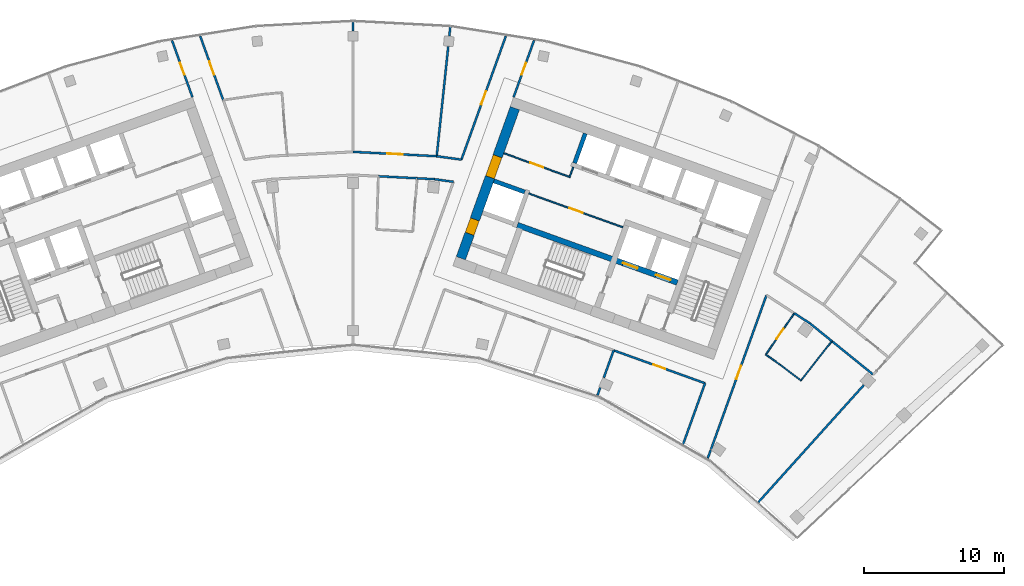
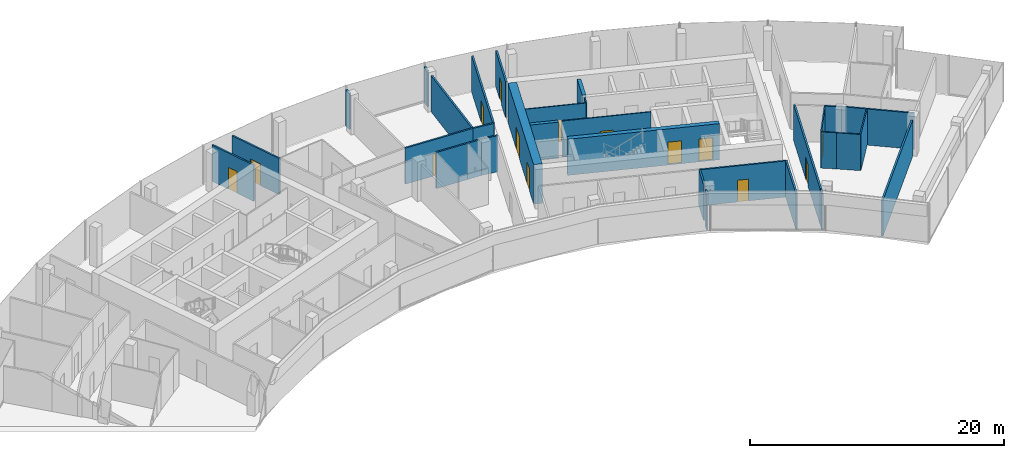
# One storey, part 15 of 18: 33 walls, 14 doors, 14 openings.
"""IFC4 building model written with IfcOpenShell, lengths in metres."""

import ifcopenshell
import ifcopenshell.guid

model = None  # the IFC model being written
_history = None  # IfcOwnerHistory: only IFC2X3 demands one
_inside = {}  # id of a spatial element -> (the spatial element, [elements in it])
_under = {}  # id of a project, library or spatial element -> (it, [spatial elements below it])
_declared = {}  # id of a project -> (the project, [libraries it declares])
_typed = {}  # id of a type object -> (the type object, [elements of that type])
_made_of = {}  # id of a material, layer set ... -> (it, [elements and type objects made of it])


def new_model(schema):
    """Start an empty IFC model of exactly this schema.

    Asked for "IFC4X3", IfcOpenShell would pick the latest addendum, in which some entities
    have other attributes; the version numbers below select the first issue.
    IFC2X3 requires an IfcOwnerHistory on every rooted entity: one is made here for all.
    """
    global model, _history
    if schema == "IFC4X3":
        model = ifcopenshell.file(schema_version=(4, 3, 0, 0))
    else:
        model = ifcopenshell.file(schema=schema)
    _inside.clear()
    _under.clear()
    _declared.clear()
    _typed.clear()
    _made_of.clear()
    _history = None
    if model.schema == "IFC2X3":
        org = make("IfcOrganization", Name="unknown")
        user = make(
            "IfcPersonAndOrganization",
            ThePerson=make("IfcPerson", FamilyName="unknown"),
            TheOrganization=org,
        )
        app = make(
            "IfcApplication",
            ApplicationDeveloper=org,
            Version="unknown",
            ApplicationFullName="unknown",
            ApplicationIdentifier="unknown",
        )
        _history = make(
            "IfcOwnerHistory",
            OwningUser=user,
            OwningApplication=app,
            ChangeAction="ADDED",
            CreationDate=0,
        )
    return model


def make(cls, **values):
    """One entity of the class cls with the attributes given. An attribute that is None is left unset."""
    return model.create_entity(
        cls, **{name: value for name, value in values.items() if value is not None}
    )


def rooted(cls, **values):
    """An entity with a GlobalId (a new one), such as an element, a storey or a relation."""
    return make(cls, GlobalId=ifcopenshell.guid.new(), OwnerHistory=_history, **values)


def si_unit(unit_type, name, prefix=None):
    """IfcSIUnit, for example si_unit("LENGTHUNIT", "METRE", prefix="MILLI")."""
    return make("IfcSIUnit", UnitType=unit_type, Prefix=prefix, Name=name)


def assignment(units):
    """IfcUnitAssignment: the units of a project."""
    return None if units is None else make("IfcUnitAssignment", Units=units)


def point(xyz):
    """IfcCartesianPoint."""
    return None if xyz is None else make("IfcCartesianPoint", Coordinates=xyz)


def direction(xyz):
    """IfcDirection."""
    return None if xyz is None else make("IfcDirection", DirectionRatios=xyz)


def frame(location, z_axis=None, x_axis=None):
    """IfcAxis2Placement3D, a coordinate frame: its origin and axes. An axis left out is left unset."""
    return make(
        "IfcAxis2Placement3D",
        Location=point(location),
        Axis=direction(z_axis),
        RefDirection=direction(x_axis),
    )


def frame_2d(location, x_axis=None):
    """IfcAxis2Placement2D, a coordinate frame in the plane: its origin and x axis."""
    return make(
        "IfcAxis2Placement2D", Location=point(location), RefDirection=direction(x_axis)
    )


def origin():
    """The frame at (0, 0, 0) with its axes left unset."""
    return frame((0.0, 0.0, 0.0))


def place(relative_to, where):
    """IfcLocalPlacement: puts the frame where relative to a parent placement (None: the world)."""
    return make(
        "IfcLocalPlacement", PlacementRelTo=relative_to, RelativePlacement=where
    )


def context(
    kind, dimensions, precision=None, world=None, true_north=None, identifier=None
):
    """IfcGeometricRepresentationContext, for example the 3D "Model" context."""
    return make(
        "IfcGeometricRepresentationContext",
        ContextIdentifier=identifier,
        ContextType=kind,
        CoordinateSpaceDimension=dimensions,
        Precision=precision,
        WorldCoordinateSystem=world,
        TrueNorth=true_north,
    )


def subcontext(parent, identifier, kind, view, scale=None):
    """IfcGeometricRepresentationSubContext, for example "Body" below "Model"."""
    return make(
        "IfcGeometricRepresentationSubContext",
        ContextIdentifier=identifier,
        ContextType=kind,
        ParentContext=parent,
        TargetScale=scale,
        TargetView=view,
    )


def project(units=None, contexts=None):
    """IfcProject with its units and contexts."""
    return rooted(
        "IfcProject",
        Name="project",
        RepresentationContexts=contexts,
        UnitsInContext=assignment(units),
    )


def spatial(cls, under=None, at=None, **own):
    """A site, building, storey or space (cls), placed at a placement, below another one or the project."""
    s = rooted(cls, ObjectPlacement=at, **own)
    if under is not None:
        _under.setdefault(under.id(), (under, []))[1].append(s)
    return s


def profile(cls, at=None, kind="AREA", **sizes):
    """A parametric profile (cls). Its sizes go by their IFC names, for example OverallWidth=200.0."""
    return make(cls, ProfileType=kind, Position=at, **sizes)


def rectangle(**sizes):
    """IfcRectangleProfileDef."""
    return profile("IfcRectangleProfileDef", **sizes)


def extrude(swept, where, along, depth):
    """IfcExtrudedAreaSolid: the profile swept, set in the frame where, extruded along a direction by depth."""
    return make(
        "IfcExtrudedAreaSolid",
        SweptArea=swept,
        Position=where,
        ExtrudedDirection=direction(along),
        Depth=depth,
    )


def shape(context_of_items, identifier, shape_type, items):
    """IfcShapeRepresentation: the items that make up one representation, for example the "Body"."""
    return make(
        "IfcShapeRepresentation",
        ContextOfItems=context_of_items,
        RepresentationIdentifier=identifier,
        RepresentationType=shape_type,
        Items=items,
    )


def material(Name=None, Category=None):
    """IfcMaterial."""
    return make("IfcMaterial", Name=Name, Category=Category)


def layer(
    of_material, thickness, ventilated=None, Name=None, Category=None, Priority=None
):
    """IfcMaterialLayer: one layer of a wall or slab, of a material (None: an air gap)."""
    return make(
        "IfcMaterialLayer",
        Material=of_material,
        LayerThickness=thickness,
        IsVentilated=ventilated,
        Name=Name,
        Category=Category,
        Priority=Priority,
    )


def layer_set(layers, Name=None):
    """IfcMaterialLayerSet."""
    return make("IfcMaterialLayerSet", MaterialLayers=layers, LayerSetName=Name)


def made_of(thing, what):
    """Note that an element or type object is made of a material, layer set ...; save() writes the relation."""
    if what is not None:
        _made_of.setdefault(what.id(), (what, []))[1].append(thing)
    return thing


def type_object(cls, material=None, **own):
    """A type object (cls), such as IfcWallType, which elements share."""
    return made_of(rooted(cls, **own), material)


def element(
    cls,
    number,
    at=None,
    inside=None,
    cuts=None,
    type_object=None,
    material=None,
    context=None,
    identifier="Body",
    shape_type=None,
    held_by="IfcProductDefinitionShape",
    body=None,
    shapes=None,
    **own,
):
    """One element of the class cls, such as IfcWall. Its Tag is "e" and its number.

    at: its placement. inside: the storey or other place that contains it. cuts: it is an
    opening in that element (IfcRelVoidsElement). A single representation is given by context,
    identifier, shape_type and body (its items); several are given by shapes. held_by: the class
    of the entity that holds the representations. save() writes the other relations.
    """
    e = rooted(cls, Tag="e%d" % number, ObjectPlacement=at, **own)
    if body is not None:
        shapes = [shape(context, identifier, shape_type, body)]
    if shapes is not None:
        e.Representation = make(held_by, Representations=shapes)
    if inside is not None:
        _inside.setdefault(inside.id(), (inside, []))[1].append(e)
    if cuts is not None:
        rooted(
            "IfcRelVoidsElement", RelatingBuildingElement=cuts, RelatedOpeningElement=e
        )
    if type_object is not None:
        _typed.setdefault(type_object.id(), (type_object, []))[1].append(e)
    return made_of(e, material)


def fill(opening, filler):
    """IfcRelFillsElement: the door or window that sits in an opening."""
    return rooted(
        "IfcRelFillsElement",
        RelatingOpeningElement=opening,
        RelatedBuildingElement=filler,
    )


def aggregate(whole, parts):
    """IfcRelAggregates: a whole, such as a stair, and the parts it consists of."""
    return rooted("IfcRelAggregates", RelatingObject=whole, RelatedObjects=parts)


def save(model, path):
    """Write the relations noted so far, then the file.

    IfcRelAggregates (storeys below a building ...), IfcRelContainedInSpatialStructure (elements
    in a storey), IfcRelDefinesByType, IfcRelAssociatesMaterial and IfcRelDeclares: one each for
    every whole, place, type object, material and project.
    """
    for whole, parts in _under.values():
        aggregate(whole, parts)
    for where, things in _inside.values():
        rooted(
            "IfcRelContainedInSpatialStructure",
            RelatedElements=things,
            RelatingStructure=where,
        )
    for kind, things in _typed.values():
        rooted("IfcRelDefinesByType", RelatedObjects=things, RelatingType=kind)
    for what, things in _made_of.values():
        rooted("IfcRelAssociatesMaterial", RelatedObjects=things, RelatingMaterial=what)
    for by, libraries in _declared.values():
        rooted("IfcRelDeclares", RelatingContext=by, RelatedDefinitions=libraries)
    model.write(path)


model = new_model("IFC4")

# Units and contexts
model_context = context("Model", 3, precision=1e-05, world=origin(), true_north=direction((0.0, 1.0)))
body_context = subcontext(model_context, "Body", "Model", "MODEL_VIEW")
ifc_project = project(units=[si_unit("LENGTHUNIT", "METRE"), si_unit("AREAUNIT", "SQUARE_METRE"), si_unit("VOLUMEUNIT", "CUBIC_METRE"), si_unit("PLANEANGLEUNIT", "RADIAN"), si_unit("MASSUNIT", "GRAM", prefix="KILO")], contexts=[model_context])

# Site, building, storey
site_placement = place(None, origin())
site = spatial("IfcSite", under=ifc_project, at=site_placement, CompositionType="ELEMENT")
building_placement = place(site_placement, origin())
building = spatial("IfcBuilding", under=site, at=building_placement, Name="Stone Belt Terrace Tower", CompositionType="ELEMENT")
storey_placement = place(building_placement, frame((0.0, 0.0, 299.800048828125)))
storey = spatial("IfcBuildingStorey", under=building, at=storey_placement, Name="L73", CompositionType="ELEMENT", Elevation=299.800048828125)

# Wall, opening, door
ifc_material_1 = material(Name="Plasterboard partition")
ifc_layer_1 = layer(ifc_material_1, 0.10009765625)
ifc_layer_set_1 = layer_set([ifc_layer_1], Name="Core partition 100")
wall_type_1 = type_object("IfcWallType", Name="Core partition 100", PredefinedType="PARTITIONING", material=ifc_layer_set_1)
wall_1_placement = place(storey_placement, frame((19.29052734375, 51.829833984375, 0.0), z_axis=(0.0, 0.0, 1.0), x_axis=(-0.94092179465, 0.338623945331, 0.0)))
wall_1 = element("IfcWall", 1, at=wall_1_placement, inside=storey, type_object=wall_type_1, Name="Core B wall", PredefinedType="PARTITIONING", context=body_context, shape_type="SweptSolid", body=[
    extrude(rectangle(XDim=7.14990234375, YDim=0.10009765625, at=frame_2d((3.574951171875, 0.0))), origin(), (0.0, 0.0, 1.0), 3.47998046875),
])
opening_1_placement = place(wall_1_placement, frame((3.050048828125, 0.0, 0.0)))
opening_1 = element("IfcOpeningElement", 2, at=opening_1_placement, cuts=wall_1, Name="Opening L73-C13", PredefinedType="OPENING", context=body_context, shape_type="SweptSolid", body=[
    extrude(rectangle(XDim=1.0, YDim=2.10009765625, at=frame_2d((0.5, 1.050048828125))), frame((0.0, 0.06005859375, 0.0), z_axis=(0.0, -1.0, 0.0), x_axis=(1.0, 0.0, 0.0)), (0.0, 0.0, 1.0), 0.1201171875),
])
ifc_material_2 = material(Name="Timber door leaf", Category="wood")
door_type_1 = type_object("IfcDoorType", Name="Core room door 1000", OperationType="SINGLE_SWING_LEFT", PredefinedType="DOOR", material=ifc_material_2)
door_1_placement = place(opening_1_placement, origin())
door_1 = element("IfcDoor", 3, at=door_1_placement, inside=storey, type_object=door_type_1, Name="Door to Electrical room core B", OperationType="SINGLE_SWING_RIGHT", OverallHeight=2.10009765625, OverallWidth=1.0, PredefinedType="DOOR", context=body_context, shape_type="SweptSolid", body=[
    extrude(rectangle(XDim=1.0, YDim=2.10009765625, at=frame_2d((0.5, 1.050048828125))), frame((0.0, 0.02490234375, 0.0), z_axis=(0.0, -1.0, 0.0), x_axis=(1.0, 0.0, 0.0)), (0.0, 0.0, 1.0), 0.050048828125),
])
fill(opening_1, door_1)

# Wall
wall_2_placement = place(storey_placement, frame((15.46826171875, 55.384033203125, 0.0), z_axis=(0.0, 0.0, 1.0), x_axis=(0.338481684961, 0.940972979923, 0.0)))
element("IfcWall", 4, at=wall_2_placement, inside=storey, type_object=wall_type_1, Name="Core B wall", PredefinedType="PARTITIONING", context=body_context, shape_type="SweptSolid", body=[
    extrude(rectangle(XDim=0.7998046875, YDim=0.10009765625, at=frame_2d((0.39990234375, 0.0))), origin(), (0.0, 0.0, 1.0), 3.47998046875),
])

# Wall, opening, door
wall_3_placement = place(storey_placement, frame((15.43798828125, 55.447998046875, 0.0), z_axis=(0.0, 0.0, 1.0), x_axis=(-0.940914445113, 0.338644366522, 0.0)))
wall_3 = element("IfcWall", 5, at=wall_3_placement, inside=storey, type_object=wall_type_1, Name="Core B wall", PredefinedType="PARTITIONING", context=body_context, shape_type="SweptSolid", body=[
    extrude(rectangle(XDim=4.949951171875, YDim=0.10009765625, at=frame_2d((2.47509765625, 0.0))), origin(), (0.0, 0.0, 1.0), 3.47998046875),
])
opening_2_placement = place(wall_3_placement, frame((1.949951171875, 0.0, 0.0)))
opening_2 = element("IfcOpeningElement", 6, at=opening_2_placement, cuts=wall_3, Name="Opening L73-C12", PredefinedType="OPENING", context=body_context, shape_type="SweptSolid", body=[
    extrude(rectangle(XDim=1.0, YDim=2.10009765625, at=frame_2d((0.5, 1.050048828125))), frame((0.0, 0.06005859375, 0.0), z_axis=(0.0, -1.0, 0.0), x_axis=(1.0, 0.0, 0.0)), (0.0, 0.0, 1.0), 0.1201171875),
])
door_2_placement = place(opening_2_placement, origin())
door_2 = element("IfcDoor", 7, at=door_2_placement, inside=storey, type_object=door_type_1, Name="Door to Plant room core B", OperationType="SINGLE_SWING_RIGHT", OverallHeight=2.10009765625, OverallWidth=1.0, PredefinedType="DOOR", context=body_context, shape_type="SweptSolid", body=[
    extrude(rectangle(XDim=1.0, YDim=2.10009765625, at=frame_2d((0.5, 1.050048828125))), frame((0.0, 0.02490234375, 0.0), z_axis=(0.0, -1.0, 0.0), x_axis=(1.0, 0.0, 0.0)), (0.0, 0.0, 1.0), 0.050048828125),
])
fill(opening_2, door_2)

# Wall, openings, doors
ifc_material_3 = material(Name="Concrete B60", Category="concrete")
ifc_layer_2 = layer(ifc_material_3, 0.699951171875)
ifc_layer_set_2 = layer_set([ifc_layer_2], Name="Core wall 700 B60")
wall_type_2 = type_object("IfcWallType", Name="Core wall 700 B60", PredefinedType="SHEAR", material=ifc_layer_set_2)
wall_4_placement = place(storey_placement, frame((7.70849609375, 49.621337890625, 0.0), z_axis=(0.0, 0.0, 1.0), x_axis=(0.338606471282, 0.940928083121, 0.0)))
wall_4 = element("IfcWall", 8, at=wall_4_placement, inside=storey, type_object=wall_type_2, Name="Core B wall end_a L73", PredefinedType="SHEAR", context=body_context, shape_type="SweptSolid", body=[
    extrude(rectangle(XDim=11.39990234375, YDim=0.699951171875, at=frame_2d((5.699951171875, 0.0))), origin(), (0.0, 0.0, 1.0), 3.800048828125),
])
opening_3_placement = place(wall_4_placement, frame((6.14990234375, 0.0, 0.0)))
opening_3 = element("IfcOpeningElement", 9, at=opening_3_placement, cuts=wall_4, Name="Opening L73-C15", PredefinedType="OPENING", context=body_context, shape_type="SweptSolid", body=[
    extrude(rectangle(XDim=1.60009765625, YDim=2.10009765625, at=frame_2d((0.800048828125, 1.050048828125))), frame((0.0, 0.35986328125, 0.0), z_axis=(0.0, -1.0, 0.0), x_axis=(1.0, 0.0, 0.0)), (0.0, 0.0, 1.0), 0.719970703125),
])
opening_4_placement = place(wall_4_placement, frame((1.85009765625, 0.0, 0.0)))
opening_4 = element("IfcOpeningElement", 10, at=opening_4_placement, cuts=wall_4, Name="Opening L73-C21", PredefinedType="OPENING", context=body_context, shape_type="SweptSolid", body=[
    extrude(rectangle(XDim=1.10009765625, YDim=2.10009765625, at=frame_2d((0.550048828125, 1.050048828125))), frame((0.0, 0.35986328125, 0.0), z_axis=(0.0, -1.0, 0.0), x_axis=(1.0, 0.0, 0.0)), (0.0, 0.0, 1.0), 0.719970703125),
])
door_type_2 = type_object("IfcDoorType", Name="Core room door 1100", OperationType="SINGLE_SWING_LEFT", PredefinedType="DOOR", material=ifc_material_2)
door_3_placement = place(opening_4_placement, origin())
door_3 = element("IfcDoor", 11, at=door_3_placement, inside=storey, type_object=door_type_2, Name="Door to Accessible WC core B", OperationType="SINGLE_SWING_LEFT", OverallHeight=2.10009765625, OverallWidth=1.10009765625, PredefinedType="DOOR", context=body_context, shape_type="SweptSolid", body=[
    extrude(rectangle(XDim=1.10009765625, YDim=2.10009765625, at=frame_2d((0.550048828125, 1.050048828125))), frame((0.0, 0.330078125, 0.0), z_axis=(0.0, -1.0, 0.0), x_axis=(1.0, 0.0, 0.0)), (0.0, 0.0, 1.0), 0.659912109375),
])
fill(opening_4, door_3)
ifc_material_4 = material(Name="Glazed aluminium door leaf", Category="aluminium")
door_type_3 = type_object("IfcDoorType", Name="Lift lobby entrance door 1600", OperationType="DOUBLE_DOOR_SINGLE_SWING", PredefinedType="DOOR", material=ifc_material_4)
door_4_placement = place(opening_3_placement, origin())
door_4 = element("IfcDoor", 12, at=door_4_placement, inside=storey, type_object=door_type_3, Name="Lift lobby entrance door core B", OperationType="DOUBLE_DOOR_SINGLE_SWING", OverallHeight=2.10009765625, OverallWidth=1.60009765625, PredefinedType="DOOR", context=body_context, shape_type="SweptSolid", body=[
    extrude(rectangle(XDim=1.60009765625, YDim=2.10009765625, at=frame_2d((0.800048828125, 1.050048828125))), frame((0.0, 0.330078125, 0.0), z_axis=(0.0, -1.0, 0.0), x_axis=(1.0, 0.0, 0.0)), (0.0, 0.0, 1.0), 0.659912109375),
])
fill(opening_3, door_4)

# Walls
ifc_material_5 = material(Name="Concrete B80", Category="concrete")
ifc_layer_3 = layer(ifc_material_5, 0.300048828125)
ifc_layer_set_3 = layer_set([ifc_layer_3], Name="Lift shaft wall 300")
wall_type_3 = type_object("IfcWallType", Name="Lift shaft wall 300", PredefinedType="SHEAR", material=ifc_layer_set_3)
wall_5_placement = place(storey_placement, frame((15.8408203125, 56.419189453125, 0.0), z_axis=(0.0, 0.0, 1.0), x_axis=(0.338569601369, 0.940941350472, 0.0)))
element("IfcWall", 13, at=wall_5_placement, inside=storey, type_object=wall_type_3, Name="Core B wall", PredefinedType="SHEAR", context=body_context, shape_type="SweptSolid", body=[
    extrude(rectangle(XDim=2.249755859375, YDim=0.300048828125, at=frame_2d((1.125, 0.0))), origin(), (0.0, 0.0, 1.0), 3.47998046875),
])
wall_6_placement = place(storey_placement, frame((12.280517578125, 54.3525390625, 0.0), z_axis=(0.0, 0.0, 1.0), x_axis=(-0.940925816745, 0.338612769078, 0.0)))
element("IfcWall", 14, at=wall_6_placement, inside=storey, type_object=wall_type_3, Name="Core B wall", PredefinedType="SHEAR", context=body_context, shape_type="SweptSolid", body=[
    extrude(rectangle(XDim=2.349853515625, YDim=0.300048828125, at=frame_2d((1.1748046875, 0.0))), origin(), (0.0, 0.0, 1.0), 3.47998046875),
])

# Wall, opening, door
ifc_material_6 = material(Name="Gypsum board partition")
ifc_layer_4 = layer(ifc_material_6, 0.10009765625)
ifc_layer_set_4 = layer_set([ifc_layer_4], Name="PARTITION 100")
wall_type_4 = type_object("IfcWallType", Name="PARTITION 100", PredefinedType="PARTITIONING", material=ifc_layer_set_4)
wall_7_placement = place(storey_placement, frame((31.5439453125, 45.68896484375, 0.0), z_axis=(0.0, 0.0, 1.0), x_axis=(-0.568120559213, -0.822945338525, 0.0)))
wall_7 = element("IfcWall", 15, at=wall_7_placement, inside=storey, type_object=wall_type_4, Name="L73/wall/i077", PredefinedType="PARTITIONING", context=body_context, shape_type="SweptSolid", body=[
    extrude(rectangle(XDim=3.5908203125, YDim=0.10009765625, at=frame_2d((1.79541015625, 0.0))), origin(), (0.0, 0.0, 1.0), 3.47998046875),
])
opening_5_placement = place(wall_7_placement, frame((1.345458984375, 0.0, 0.0)))
opening_5 = element("IfcOpeningElement", 16, at=opening_5_placement, cuts=wall_7, Name="Opening D-E5-23", PredefinedType="OPENING", context=body_context, shape_type="SweptSolid", body=[
    extrude(rectangle(XDim=0.89990234375, YDim=2.10009765625, at=frame_2d((0.449951171875, 1.050048828125))), frame((0.0, 0.06005859375, 0.0), z_axis=(0.0, -1.0, 0.0), x_axis=(1.0, 0.0, 0.0)), (0.0, 0.0, 1.0), 0.1201171875),
])
door_type_4 = type_object("IfcDoorType", Name="OFFICE DOOR 900 X 2100", OperationType="NOTDEFINED", PredefinedType="DOOR", material=ifc_material_2)
door_5_placement = place(opening_5_placement, origin())
door_5 = element("IfcDoor", 17, at=door_5_placement, inside=storey, type_object=door_type_4, Name="L73/door/i23", OperationType="SINGLE_SWING_RIGHT", OverallHeight=2.10009765625, OverallWidth=0.89990234375, PredefinedType="DOOR", context=body_context, shape_type="SweptSolid", body=[
    extrude(rectangle(XDim=0.89990234375, YDim=2.10009765625, at=frame_2d((0.449951171875, 1.050048828125))), frame((0.0, 0.02490234375, 0.0), z_axis=(0.0, -1.0, 0.0), x_axis=(1.0, 0.0, 0.0)), (0.0, 0.0, 1.0), 0.050048828125),
])
fill(opening_5, door_5)

# Walls
wall_8_placement = place(storey_placement, frame((29.50390625, 42.73388671875, 0.0), z_axis=(0.0, 0.0, 1.0), x_axis=(0.815986058791, -0.578071580221, 0.0)))
element("IfcWall", 18, at=wall_8_placement, inside=storey, type_object=wall_type_4, Name="L73/wall/i078", PredefinedType="PARTITIONING", context=body_context, shape_type="SweptSolid", body=[
    extrude(rectangle(XDim=1.248779296875, YDim=0.10009765625, at=frame_2d((0.62451171875, 0.0))), origin(), (0.0, 0.0, 1.0), 3.47998046875),
])
wall_9_placement = place(storey_placement, frame((30.52294921875, 42.011962890625, 0.0), z_axis=(0.0, 0.0, 1.0), x_axis=(0.798373260242, -0.602162882725, 0.0)))
element("IfcWall", 19, at=wall_9_placement, inside=storey, type_object=wall_type_4, Name="L73/wall/i079", PredefinedType="PARTITIONING", context=body_context, shape_type="SweptSolid", body=[
    extrude(rectangle(XDim=1.87646484375, YDim=0.10009765625, at=frame_2d((0.938232421875, 0.0))), origin(), (0.0, 0.0, 1.0), 3.47998046875),
])
wall_10_placement = place(storey_placement, frame((32.02099609375, 40.882080078125, 0.0), z_axis=(0.0, 0.0, 1.0), x_axis=(0.616536467142, 0.787326352083, 0.0)))
element("IfcWall", 20, at=wall_10_placement, inside=storey, type_object=wall_type_4, Name="L73/wall/i080", PredefinedType="PARTITIONING", context=body_context, shape_type="SweptSolid", body=[
    extrude(rectangle(XDim=3.57666015625, YDim=0.10009765625, at=frame_2d((1.788330078125, 0.0))), origin(), (0.0, 0.0, 1.0), 3.47998046875),
])

# Wall, opening, door
ifc_layer_5 = layer(ifc_material_6, 0.14990234375)
ifc_layer_set_5 = layer_set([ifc_layer_5], Name="PARTITION 150 EI 60")
wall_type_5 = type_object("IfcWallType", Name="PARTITION 150 EI 60", PredefinedType="PARTITIONING", material=ifc_layer_set_5)
wall_11_placement = place(storey_placement, frame((-11.47607421875, 61.125, 0.0), z_axis=(0.0, 0.0, 1.0), x_axis=(-0.338707450319, 0.940891738245, 0.0)))
wall_11 = element("IfcWall", 21, at=wall_11_placement, inside=storey, type_object=wall_type_5, Name="L73/wall/i010", PredefinedType="PARTITIONING", context=body_context, shape_type="SweptSolid", body=[
    extrude(rectangle(XDim=4.316162109375, YDim=0.14990234375, at=frame_2d((2.158203125, 0.0))), origin(), (0.0, 0.0, 1.0), 3.47998046875),
])
opening_6_placement = place(wall_11_placement, frame((1.7080078125, 0.0, 0.0)))
opening_6 = element("IfcOpeningElement", 22, at=opening_6_placement, cuts=wall_11, Name="Opening D-E5-06", PredefinedType="OPENING", context=body_context, shape_type="SweptSolid", body=[
    extrude(rectangle(XDim=0.89990234375, YDim=2.10009765625, at=frame_2d((0.449951171875, 1.050048828125))), frame((0.0, 0.0849609375, 0.0), z_axis=(0.0, -1.0, 0.0), x_axis=(1.0, 0.0, 0.0)), (0.0, 0.0, 1.0), 0.169921875),
])
door_6_placement = place(opening_6_placement, origin())
door_6 = element("IfcDoor", 23, at=door_6_placement, inside=storey, type_object=door_type_4, Name="L73/door/i06", OperationType="SINGLE_SWING_RIGHT", OverallHeight=2.10009765625, OverallWidth=0.89990234375, PredefinedType="DOOR", context=body_context, shape_type="SweptSolid", body=[
    extrude(rectangle(XDim=0.89990234375, YDim=2.10009765625, at=frame_2d((0.449951171875, 1.050048828125))), frame((0.0, 0.02490234375, 0.0), z_axis=(0.0, -1.0, 0.0), x_axis=(1.0, 0.0, 0.0)), (0.0, 0.0, 1.0), 0.050048828125),
])
fill(opening_6, door_6)

wall_12_placement = place(storey_placement, frame((-10.9267578125, 65.504150390625, 0.0), z_axis=(0.0, 0.0, 1.0), x_axis=(0.338598802043, -0.940930842972, 0.0)))
wall_12 = element("IfcWall", 24, at=wall_12_placement, inside=storey, type_object=wall_type_5, Name="L73/wall/i013", PredefinedType="PARTITIONING", context=body_context, shape_type="SweptSolid", body=[
    extrude(rectangle(XDim=4.8720703125, YDim=0.14990234375, at=frame_2d((2.43603515625, 0.0))), origin(), (0.0, 0.0, 1.0), 3.47998046875),
])
opening_7_placement = place(wall_12_placement, frame((1.93603515625, 0.0, 0.0)))
opening_7 = element("IfcOpeningElement", 25, at=opening_7_placement, cuts=wall_12, Name="Opening D-E5-31", PredefinedType="OPENING", context=body_context, shape_type="SweptSolid", body=[
    extrude(rectangle(XDim=1.0, YDim=2.10009765625, at=frame_2d((0.5, 1.050048828125))), frame((0.0, 0.0849609375, 0.0), z_axis=(0.0, -1.0, 0.0), x_axis=(1.0, 0.0, 0.0)), (0.0, 0.0, 1.0), 0.169921875),
])
ifc_material_7 = material(Name="Timber fire door leaf", Category="wood")
door_type_5 = type_object("IfcDoorType", Name="TENANCY ENTRANCE DOOR 1000 X 2100", OperationType="NOTDEFINED", PredefinedType="DOOR", material=ifc_material_7)
door_7_placement = place(opening_7_placement, origin())
door_7 = element("IfcDoor", 26, at=door_7_placement, inside=storey, type_object=door_type_5, Name="L73/door/i31", OperationType="SINGLE_SWING_RIGHT", OverallHeight=2.10009765625, OverallWidth=1.0, PredefinedType="DOOR", context=body_context, shape_type="SweptSolid", body=[
    extrude(rectangle(XDim=1.0, YDim=2.10009765625, at=frame_2d((0.5, 1.050048828125))), frame((0.0, 0.02490234375, 0.0), z_axis=(0.0, -1.0, 0.0), x_axis=(1.0, 0.0, 0.0)), (0.0, 0.0, 1.0), 0.050048828125),
])
fill(opening_7, door_7)

wall_13_placement = place(storey_placement, frame((12.93798828125, 65.18603515625, 0.0), z_axis=(0.0, 0.0, 1.0), x_axis=(-0.338707450319, -0.940891738245, 0.0)))
wall_13 = element("IfcWall", 27, at=wall_13_placement, inside=storey, type_object=wall_type_5, Name="L73/wall/i024", PredefinedType="PARTITIONING", context=body_context, shape_type="SweptSolid", body=[
    extrude(rectangle(XDim=4.316162109375, YDim=0.14990234375, at=frame_2d((2.158203125, 0.0))), origin(), (0.0, 0.0, 1.0), 3.47998046875),
])
opening_8_placement = place(wall_13_placement, frame((1.7080078125, 0.0, 0.0)))
opening_8 = element("IfcOpeningElement", 28, at=opening_8_placement, cuts=wall_13, Name="Opening D-E5-11", PredefinedType="OPENING", context=body_context, shape_type="SweptSolid", body=[
    extrude(rectangle(XDim=0.89990234375, YDim=2.10009765625, at=frame_2d((0.449951171875, 1.050048828125))), frame((0.0, 0.0849609375, 0.0), z_axis=(0.0, -1.0, 0.0), x_axis=(1.0, 0.0, 0.0)), (0.0, 0.0, 1.0), 0.169921875),
])
door_8_placement = place(opening_8_placement, origin())
door_8 = element("IfcDoor", 29, at=door_8_placement, inside=storey, type_object=door_type_4, Name="L73/door/i11", OperationType="SINGLE_SWING_RIGHT", OverallHeight=2.10009765625, OverallWidth=0.89990234375, PredefinedType="DOOR", context=body_context, shape_type="SweptSolid", body=[
    extrude(rectangle(XDim=0.89990234375, YDim=2.10009765625, at=frame_2d((0.449951171875, 1.050048828125))), frame((0.0, 0.02490234375, 0.0), z_axis=(0.0, -1.0, 0.0), x_axis=(1.0, 0.0, 0.0)), (0.0, 0.0, 1.0), 0.050048828125),
])
fill(opening_8, door_8)

wall_14_placement = place(storey_placement, frame((7.7451171875, 56.6640625, 0.0), z_axis=(0.0, 0.0, 1.0), x_axis=(0.338644933311, 0.94091424112, 0.0)))
wall_14 = element("IfcWall", 30, at=wall_14_placement, inside=storey, type_object=wall_type_5, Name="L73/wall/i026", PredefinedType="PARTITIONING", context=body_context, shape_type="SweptSolid", body=[
    extrude(rectangle(XDim=9.395263671875, YDim=0.14990234375, at=frame_2d((4.69775390625, 0.0))), origin(), (0.0, 0.0, 1.0), 3.47998046875),
])
opening_9_placement = place(wall_14_placement, frame((4.19775390625, 0.0, 0.0)))
opening_9 = element("IfcOpeningElement", 31, at=opening_9_placement, cuts=wall_14, Name="Opening D-E5-34", PredefinedType="OPENING", context=body_context, shape_type="SweptSolid", body=[
    extrude(rectangle(XDim=1.0, YDim=2.10009765625, at=frame_2d((0.5, 1.050048828125))), frame((0.0, 0.0849609375, 0.0), z_axis=(0.0, -1.0, 0.0), x_axis=(1.0, 0.0, 0.0)), (0.0, 0.0, 1.0), 0.169921875),
])
door_9_placement = place(opening_9_placement, origin())
door_9 = element("IfcDoor", 32, at=door_9_placement, inside=storey, type_object=door_type_5, Name="L73/door/i34", OperationType="SINGLE_SWING_RIGHT", OverallHeight=2.10009765625, OverallWidth=1.0, PredefinedType="DOOR", context=body_context, shape_type="SweptSolid", body=[
    extrude(rectangle(XDim=1.0, YDim=2.10009765625, at=frame_2d((0.5, 1.050048828125))), frame((0.0, 0.02490234375, 0.0), z_axis=(0.0, -1.0, 0.0), x_axis=(1.0, 0.0, 0.0)), (0.0, 0.0, 1.0), 0.050048828125),
])
fill(opening_9, door_9)

# Wall
wall_15_placement = place(storey_placement, frame((23.5966796875, 36.330810546875, 0.0), z_axis=(0.0, 0.0, 1.0), x_axis=(0.338609342271, 0.94092704995, 0.0)))
element("IfcWall", 33, at=wall_15_placement, inside=storey, type_object=wall_type_5, Name="L73/wall/i027", PredefinedType="PARTITIONING", context=body_context, shape_type="SweptSolid", body=[
    extrude(rectangle(XDim=4.6318359375, YDim=0.14990234375, at=frame_2d((2.31591796875, 0.0))), origin(), (0.0, 0.0, 1.0), 3.47998046875),
])

# Wall, opening, door
wall_16_placement = place(storey_placement, frame((29.556884765625, 46.987060546875, 0.0), z_axis=(0.0, 0.0, 1.0), x_axis=(-0.338660555828, -0.940908618265, 0.0)))
wall_16 = element("IfcWall", 34, at=wall_16_placement, inside=storey, type_object=wall_type_5, Name="L73/wall/i029", PredefinedType="PARTITIONING", context=body_context, shape_type="SweptSolid", body=[
    extrude(rectangle(XDim=11.73974609375, YDim=0.14990234375, at=frame_2d((5.869873046875, 0.0))), origin(), (0.0, 0.0, 1.0), 3.47998046875),
])
opening_10_placement = place(wall_16_placement, frame((5.369873046875, 0.0, 0.0)))
opening_10 = element("IfcOpeningElement", 35, at=opening_10_placement, cuts=wall_16, Name="Opening D-E5-22", PredefinedType="OPENING", context=body_context, shape_type="SweptSolid", body=[
    extrude(rectangle(XDim=1.0, YDim=2.10009765625, at=frame_2d((0.5, 1.050048828125))), frame((0.0, 0.0849609375, 0.0), z_axis=(0.0, -1.0, 0.0), x_axis=(1.0, 0.0, 0.0)), (0.0, 0.0, 1.0), 0.169921875),
])
door_10_placement = place(opening_10_placement, origin())
door_10 = element("IfcDoor", 36, at=door_10_placement, inside=storey, type_object=door_type_5, Name="L73/door/i22", OperationType="SINGLE_SWING_LEFT", OverallHeight=2.10009765625, OverallWidth=1.0, PredefinedType="DOOR", context=body_context, shape_type="SweptSolid", body=[
    extrude(rectangle(XDim=1.0, YDim=2.10009765625, at=frame_2d((0.5, 1.050048828125))), frame((0.0, 0.02490234375, 0.0), z_axis=(0.0, -1.0, 0.0), x_axis=(1.0, 0.0, 0.0)), (0.0, 0.0, 1.0), 0.050048828125),
])
fill(opening_10, door_10)

# Wall
wall_17_placement = place(storey_placement, frame((25.566162109375, 35.899658203125, 0.0), z_axis=(0.0, 0.0, 1.0), x_axis=(-0.338633814852, -0.940918242696, 0.0)))
element("IfcWall", 37, at=wall_17_placement, inside=storey, type_object=wall_type_5, Name="L73/wall/i030", PredefinedType="PARTITIONING", context=body_context, shape_type="SweptSolid", body=[
    extrude(rectangle(XDim=0.605712890625, YDim=0.14990234375, at=frame_2d((0.302734375, 0.0))), origin(), (0.0, 0.0, 1.0), 3.47998046875),
])

# Wall, opening, door
wall_18_placement = place(storey_placement, frame((25.1630859375, 40.68310546875, 0.0), z_axis=(0.0, 0.0, 1.0), x_axis=(-0.940890098745, 0.338712004633, 0.0)))
wall_18 = element("IfcWall", 38, at=wall_18_placement, inside=storey, type_object=wall_type_5, Name="L73/wall/i036", PredefinedType="PARTITIONING", context=body_context, shape_type="SweptSolid", body=[
    extrude(rectangle(XDim=6.949951171875, YDim=0.14990234375, at=frame_2d((3.47509765625, 0.0))), origin(), (0.0, 0.0, 1.0), 3.47998046875),
])
opening_11_placement = place(wall_18_placement, frame((3.02490234375, 0.0, 0.0)))
opening_11 = element("IfcOpeningElement", 39, at=opening_11_placement, cuts=wall_18, Name="Opening D-E5-10", PredefinedType="OPENING", context=body_context, shape_type="SweptSolid", body=[
    extrude(rectangle(XDim=0.89990234375, YDim=2.10009765625, at=frame_2d((0.449951171875, 1.050048828125))), frame((0.0, 0.0849609375, 0.0), z_axis=(0.0, -1.0, 0.0), x_axis=(1.0, 0.0, 0.0)), (0.0, 0.0, 1.0), 0.169921875),
])
door_11_placement = place(opening_11_placement, origin())
door_11 = element("IfcDoor", 40, at=door_11_placement, inside=storey, type_object=door_type_4, Name="L73/door/i10", OperationType="SINGLE_SWING_RIGHT", OverallHeight=2.10009765625, OverallWidth=0.89990234375, PredefinedType="DOOR", context=body_context, shape_type="SweptSolid", body=[
    extrude(rectangle(XDim=0.89990234375, YDim=2.10009765625, at=frame_2d((0.449951171875, 1.050048828125))), frame((0.0, 0.02490234375, 0.0), z_axis=(0.0, -1.0, 0.0), x_axis=(1.0, 0.0, 0.0)), (0.0, 0.0, 1.0), 0.050048828125),
])
fill(opening_11, door_11)

# Walls
wall_19_placement = place(storey_placement, frame((18.62890625, 43.033935546875, 0.0), z_axis=(0.0, 0.0, 1.0), x_axis=(-0.338523288792, -0.940958013381, 0.0)))
element("IfcWall", 41, at=wall_19_placement, inside=storey, type_object=wall_type_5, Name="L73/wall/i039", PredefinedType="PARTITIONING", context=body_context, shape_type="SweptSolid", body=[
    extrude(rectangle(XDim=2.0712890625, YDim=0.14990234375, at=frame_2d((1.03564453125, 0.0))), origin(), (0.0, 0.0, 1.0), 3.47998046875),
])
wall_20_placement = place(storey_placement, frame((17.669921875, 40.367919921875, 0.0), z_axis=(0.0, 0.0, 1.0), x_axis=(-0.338689559732, -0.940898178407, 0.0)))
element("IfcWall", 42, at=wall_20_placement, inside=storey, type_object=wall_type_5, Name="L73/wall/i040", PredefinedType="PARTITIONING", context=body_context, shape_type="SweptSolid", body=[
    extrude(rectangle(XDim=0.578125, YDim=0.14990234375, at=frame_2d((0.2890625, 0.0))), origin(), (0.0, 0.0, 1.0), 3.47998046875),
])
wall_21_placement = place(storey_placement, frame((28.97802734375, 32.182373046875, 0.0), z_axis=(0.0, 0.0, 1.0), x_axis=(0.669127577115, 0.74314755301, 0.0)))
element("IfcWall", 43, at=wall_21_placement, inside=storey, type_object=wall_type_5, Name="L73/wall/i068", PredefinedType="PARTITIONING", context=body_context, shape_type="SweptSolid", body=[
    extrude(rectangle(XDim=11.263671875, YDim=0.14990234375, at=frame_2d((5.6318359375, 0.0))), origin(), (0.0, 0.0, 1.0), 3.47998046875),
])
wall_22_placement = place(storey_placement, frame((37.18701171875, 41.300048828125, 0.0), z_axis=(0.0, 0.0, 1.0), x_axis=(-0.77714803313, 0.629317832738, 0.0)))
element("IfcWall", 44, at=wall_22_placement, inside=storey, type_object=wall_type_5, Name="L73/wall/i071", PredefinedType="PARTITIONING", context=body_context, shape_type="SweptSolid", body=[
    extrude(rectangle(XDim=3.816650390625, YDim=0.14990234375, at=frame_2d((1.908203125, 0.0))), origin(), (0.0, 0.0, 1.0), 3.47998046875),
])
wall_23_placement = place(storey_placement, frame((34.23095703125, 43.694091796875, 0.0), z_axis=(0.0, 0.0, 1.0), x_axis=(-0.777247694458, 0.62919474049, 0.0)))
element("IfcWall", 45, at=wall_23_placement, inside=storey, type_object=wall_type_5, Name="L73/wall/i072", PredefinedType="PARTITIONING", context=body_context, shape_type="SweptSolid", body=[
    extrude(rectangle(XDim=2.013427734375, YDim=0.14990234375, at=frame_2d((1.0068359375, 0.0))), origin(), (0.0, 0.0, 1.0), 3.47998046875),
])
wall_24_placement = place(storey_placement, frame((32.666015625, 44.9609375, 0.0), z_axis=(0.0, 0.0, 1.0), x_axis=(-0.838974743081, 0.544170359789, 0.0)))
element("IfcWall", 46, at=wall_24_placement, inside=storey, type_object=wall_type_5, Name="L73/wall/i073", PredefinedType="PARTITIONING", context=body_context, shape_type="SweptSolid", body=[
    extrude(rectangle(XDim=1.34326171875, YDim=0.14990234375, at=frame_2d((0.671630859375, 0.0))), origin(), (0.0, 0.0, 1.0), 3.47998046875),
])
wall_25_placement = place(storey_placement, frame((7.176025390625, 55.0830078125, 0.0), z_axis=(0.0, 0.0, 1.0), x_axis=(-0.990675556397, 0.136242217972, 0.0)))
element("IfcWall", 47, at=wall_25_placement, inside=storey, type_object=wall_type_5, Name="L73/wall/i088", PredefinedType="PARTITIONING", context=body_context, shape_type="SweptSolid", body=[
    extrude(rectangle(XDim=1.3798828125, YDim=0.14990234375, at=frame_2d((0.68994140625, 0.0))), origin(), (0.0, 0.0, 1.0), 3.47998046875),
])
wall_26_placement = place(storey_placement, frame((5.80908203125, 55.27099609375, 0.0), z_axis=(0.0, 0.0, 1.0), x_axis=(-0.998648347827, 0.051975738405, 0.0)))
element("IfcWall", 48, at=wall_26_placement, inside=storey, type_object=wall_type_5, Name="L73/wall/i089", PredefinedType="PARTITIONING", context=body_context, shape_type="SweptSolid", body=[
    extrude(rectangle(XDim=1.230712890625, YDim=0.14990234375, at=frame_2d((0.615234375, 0.0))), origin(), (0.0, 0.0, 1.0), 3.47998046875),
])
wall_27_placement = place(storey_placement, frame((4.592041015625, 55.3349609375, 0.0), z_axis=(0.0, 0.0, 1.0), x_axis=(-0.998630847524, 0.052310901088, 0.0)))
element("IfcWall", 49, at=wall_27_placement, inside=storey, type_object=wall_type_5, Name="L73/wall/i090", PredefinedType="PARTITIONING", context=body_context, shape_type="SweptSolid", body=[
    extrude(rectangle(XDim=2.791015625, YDim=0.14990234375, at=frame_2d((1.3955078125, 0.0))), origin(), (0.0, 0.0, 1.0), 3.47998046875),
])

# Wall, opening, door
wall_28_placement = place(storey_placement, frame((0.0, 57.22509765625, 0.0), z_axis=(0.0, 0.0, 1.0), x_axis=(0.998633994648, -0.052250786921, 0.0)))
wall_28 = element("IfcWall", 50, at=wall_28_placement, inside=storey, type_object=wall_type_5, Name="L73/wall/i094", PredefinedType="PARTITIONING", context=body_context, shape_type="SweptSolid", body=[
    extrude(rectangle(XDim=5.990234375, YDim=0.14990234375, at=frame_2d((2.9951171875, 0.0))), origin(), (0.0, 0.0, 1.0), 3.47998046875),
])
opening_12_placement = place(wall_28_placement, frame((2.445068359375, 0.0, 0.0)))
opening_12 = element("IfcOpeningElement", 51, at=opening_12_placement, cuts=wall_28, Name="Opening D-E5-33", PredefinedType="OPENING", context=body_context, shape_type="SweptSolid", body=[
    extrude(rectangle(XDim=1.10009765625, YDim=2.10009765625, at=frame_2d((0.550048828125, 1.050048828125))), frame((0.0, 0.0849609375, 0.0), z_axis=(0.0, -1.0, 0.0), x_axis=(1.0, 0.0, 0.0)), (0.0, 0.0, 1.0), 0.169921875),
])
ifc_material_8 = material(Name="Steel fire door set", Category="steel")
door_type_6 = type_object("IfcDoorType", Name="SERVICE ROOM DOOR 1100 X 2100", OperationType="NOTDEFINED", PredefinedType="DOOR", material=ifc_material_8)
door_12_placement = place(opening_12_placement, origin())
door_12 = element("IfcDoor", 52, at=door_12_placement, inside=storey, type_object=door_type_6, Name="L73/door/i33", OperationType="SINGLE_SWING_LEFT", OverallHeight=2.10009765625, OverallWidth=1.10009765625, PredefinedType="DOOR", context=body_context, shape_type="SweptSolid", body=[
    extrude(rectangle(XDim=1.10009765625, YDim=2.10009765625, at=frame_2d((0.550048828125, 1.050048828125))), frame((0.0, 0.02490234375, 0.0), z_axis=(0.0, -1.0, 0.0), x_axis=(1.0, 0.0, 0.0)), (0.0, 0.0, 1.0), 0.050048828125),
])
fill(opening_12, door_12)

# Walls
wall_29_placement = place(storey_placement, frame((5.98193359375, 56.912109375, 0.0), z_axis=(0.0, 0.0, 1.0), x_axis=(0.990718093798, -0.135932551735, 0.0)))
element("IfcWall", 53, at=wall_29_placement, inside=storey, type_object=wall_type_5, Name="L73/wall/i095", PredefinedType="PARTITIONING", context=body_context, shape_type="SweptSolid", body=[
    extrude(rectangle(XDim=1.78173828125, YDim=0.14990234375, at=frame_2d((0.890869140625, 0.0))), origin(), (0.0, 0.0, 1.0), 3.47998046875),
])
wall_30_placement = place(storey_placement, frame((0.0, 66.5, 0.0), z_axis=(0.0, 0.0, 1.0), x_axis=(0.0, -1.0, 0.0)))
element("IfcWall", 54, at=wall_30_placement, inside=storey, type_object=wall_type_5, Name="L73/wall/i105", PredefinedType="PARTITIONING", context=body_context, shape_type="SweptSolid", body=[
    extrude(rectangle(XDim=0.631103515625, YDim=0.14990234375, at=frame_2d((0.3154296875, 0.0))), origin(), (0.0, 0.0, 1.0), 3.47998046875),
])
wall_31_placement = place(storey_placement, frame((6.951416015625, 66.135498046875, 0.0), z_axis=(0.0, 0.0, 1.0), x_axis=(-0.10448334315, -0.994526636649, 0.0)))
element("IfcWall", 55, at=wall_31_placement, inside=storey, type_object=wall_type_5, Name="L73/wall/i107", PredefinedType="PARTITIONING", context=body_context, shape_type="SweptSolid", body=[
    extrude(rectangle(XDim=0.630859375, YDim=0.14990234375, at=frame_2d((0.3154296875, 0.0))), origin(), (0.0, 0.0, 1.0), 3.47998046875),
])
wall_32_placement = place(storey_placement, frame((6.80615234375, 64.752197265625, 0.0), z_axis=(0.0, 0.0, 1.0), x_axis=(-0.104552591052, -0.99451935914, 0.0)))
element("IfcWall", 56, at=wall_32_placement, inside=storey, type_object=wall_type_5, Name="L73/wall/i108", PredefinedType="PARTITIONING", context=body_context, shape_type="SweptSolid", body=[
    extrude(rectangle(XDim=7.88330078125, YDim=0.14990234375, at=frame_2d((3.941650390625, 0.0))), origin(), (0.0, 0.0, 1.0), 3.47998046875),
])

# Wall, openings, doors
ifc_layer_6 = layer(ifc_material_5, 0.39990234375)
ifc_layer_set_6 = layer_set([ifc_layer_6], Name="Stair enclosure wall 400")
wall_type_6 = type_object("IfcWallType", Name="Stair enclosure wall 400", PredefinedType="SHEAR", material=ifc_layer_set_6)
wall_33_placement = place(storey_placement, frame((23.182373046875, 47.87841796875, 0.0), z_axis=(0.0, 0.0, 1.0), x_axis=(-0.940921731919, 0.338624119641, 0.0)))
wall_33 = element("IfcWall", 57, at=wall_33_placement, inside=storey, type_object=wall_type_6, Name="Core B wall", PredefinedType="SHEAR", context=body_context, shape_type="SweptSolid", body=[
    extrude(rectangle(XDim=12.14990234375, YDim=0.39990234375, at=frame_2d((6.074951171875, 0.0))), origin(), (0.0, 0.0, 1.0), 3.47998046875),
])
opening_13_placement = place(wall_33_placement, frame((0.52001953125, 0.0, 0.0)))
opening_13 = element("IfcOpeningElement", 58, at=opening_13_placement, cuts=wall_33, Name="Opening L73-LD12", PredefinedType="OPENING", context=body_context, shape_type="SweptSolid", body=[
    extrude(rectangle(XDim=1.10009765625, YDim=2.199951171875, at=frame_2d((0.550048828125, 1.10009765625))), frame((0.0, 0.2099609375, 0.0), z_axis=(0.0, -1.0, 0.0), x_axis=(1.0, 0.0, 0.0)), (0.0, 0.0, 1.0), 0.419921875),
])
opening_14_placement = place(wall_33_placement, frame((3.02001953125, 0.0, 0.0)))
opening_14 = element("IfcOpeningElement", 59, at=opening_14_placement, cuts=wall_33, Name="Opening L73-LD13", PredefinedType="OPENING", context=body_context, shape_type="SweptSolid", body=[
    extrude(rectangle(XDim=1.10009765625, YDim=2.199951171875, at=frame_2d((0.550048828125, 1.10009765625))), frame((0.0, 0.2099609375, 0.0), z_axis=(0.0, -1.0, 0.0), x_axis=(1.0, 0.0, 0.0)), (0.0, 0.0, 1.0), 0.419921875),
])
ifc_material_9 = material(Name="Stainless steel door leaf", Category="steel")
door_type_7 = type_object("IfcDoorType", Name="Landing door 1100", OperationType="SLIDING_TO_LEFT", PredefinedType="DOOR", material=ifc_material_9)
door_13_placement = place(opening_13_placement, origin())
door_13 = element("IfcDoor", 60, at=door_13_placement, inside=storey, type_object=door_type_7, Name="Landing door FF1 core B", OperationType="SLIDING_TO_LEFT", OverallHeight=2.199951171875, OverallWidth=1.10009765625, PredefinedType="DOOR", context=body_context, shape_type="SweptSolid", body=[
    extrude(rectangle(XDim=1.10009765625, YDim=2.199951171875, at=frame_2d((0.550048828125, 1.10009765625))), frame((0.0, 0.02490234375, 0.0), z_axis=(0.0, -1.0, 0.0), x_axis=(1.0, 0.0, 0.0)), (0.0, 0.0, 1.0), 0.050048828125),
])
fill(opening_13, door_13)
door_14_placement = place(opening_14_placement, origin())
door_14 = element("IfcDoor", 61, at=door_14_placement, inside=storey, type_object=door_type_7, Name="Landing door FF2 core B", OperationType="SLIDING_TO_LEFT", OverallHeight=2.199951171875, OverallWidth=1.10009765625, PredefinedType="DOOR", context=body_context, shape_type="SweptSolid", body=[
    extrude(rectangle(XDim=1.10009765625, YDim=2.199951171875, at=frame_2d((0.550048828125, 1.10009765625))), frame((0.0, 0.02490234375, 0.0), z_axis=(0.0, -1.0, 0.0), x_axis=(1.0, 0.0, 0.0)), (0.0, 0.0, 1.0), 0.050048828125),
])
fill(opening_14, door_14)

save(model, "model.ifc")
